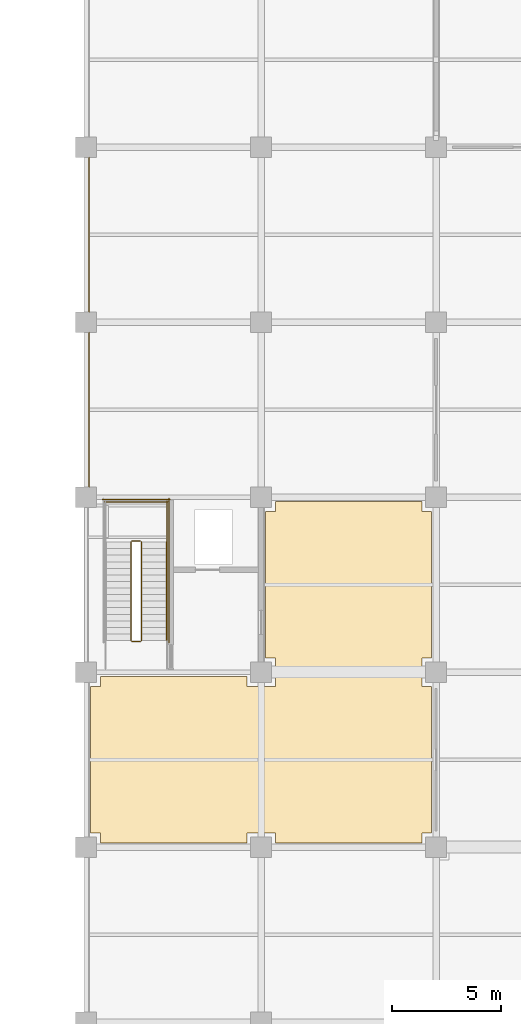
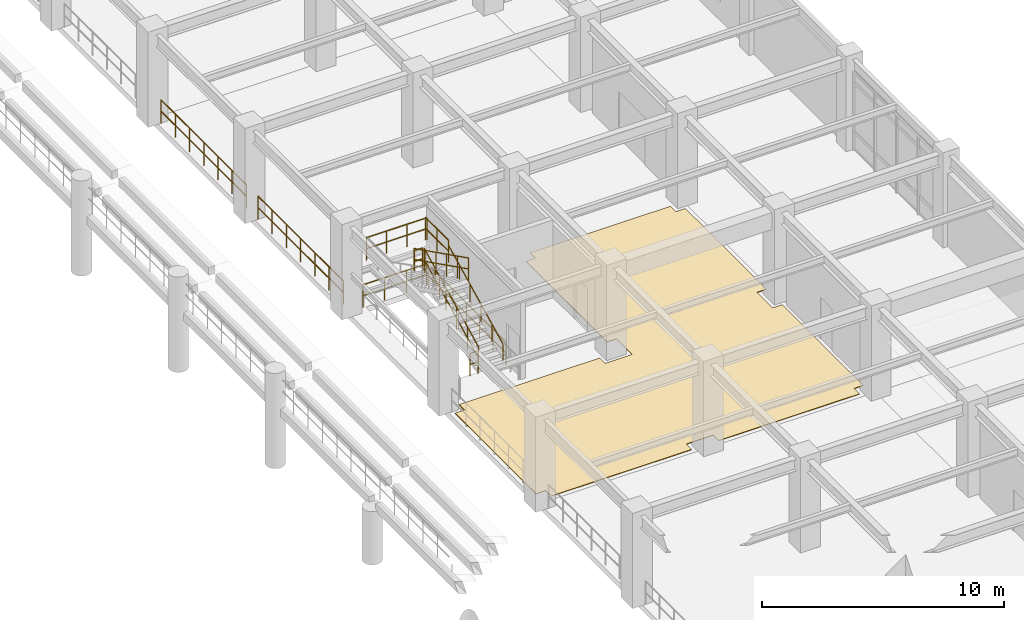
# One storey, part 104 of 109: 11 railings, 1 covering.
"""IFC4 building model written with IfcOpenShell, lengths in metres."""

from ifc_helpers import new_model, si_unit, direction, frame, origin, origin_2d, place, context, subcontext, project, spatial, polyline, circle, outline, extrude, material, layer, layer_set, type_object, element, save


model = new_model("IFC4")

# Units and contexts
model_context = context("Model", 3, precision=1e-05, world=origin(), true_north=direction((0.0, 1.0)))
body_context = subcontext(model_context, "Body", "Model", "MODEL_VIEW")
ifc_project = project(units=[si_unit("LENGTHUNIT", "METRE"), si_unit("AREAUNIT", "SQUARE_METRE"), si_unit("VOLUMEUNIT", "CUBIC_METRE"), si_unit("PLANEANGLEUNIT", "RADIAN"), si_unit("MASSUNIT", "GRAM", prefix="KILO")], contexts=[model_context])

# Site, building, storey
site_placement = place(None, origin())
site = spatial("IfcSite", under=ifc_project, at=site_placement, CompositionType="ELEMENT")
building_placement = place(site_placement, origin())
building = spatial("IfcBuilding", under=site, at=building_placement, Name="Haebicheon Civic Stadium", CompositionType="ELEMENT")
storey_placement = place(building_placement, frame((0.0, 0.0, 9.60009765625)))
storey = spatial("IfcBuildingStorey", under=building, at=storey_placement, Name="L03", CompositionType="ELEMENT", Elevation=9.60009765625)

# Covering
ifc_material_1 = material(Name="Quartz epoxy resin mortar", Category="concrete")
ifc_layer = layer(ifc_material_1, 0.030029296875, Name="Quartz epoxy resin mortar")
ifc_layer_set = layer_set([ifc_layer], Name="Quartz epoxy resin mortar")
covering_type = type_object("IfcCoveringType", Name="COV-FLR-EPX", PredefinedType="FLOORING", material=ifc_layer_set)
covering_placement = place(storey_placement, origin())
element("IfcCovering", 1, at=covering_placement, inside=storey, type_object=covering_type, material=ifc_layer_set, Name="L03 East Bowl Club Concourse non-slip floor finish", PredefinedType="FLOORING", context=body_context, shape_type="SweptSolid", body=[
    extrude(outline(polyline([(144.199951171875, 103.35009765625), (144.64990234375, 103.35009765625), (144.64990234375, 103.800048828125), (151.35009765625, 103.800048828125), (151.35009765625, 103.35009765625), (152.64990234375, 103.35009765625), (152.64990234375, 104.64990234375), (152.199951171875, 104.64990234375), (152.199951171875, 111.35009765625), (152.64990234375, 111.35009765625), (152.64990234375, 111.800048828125), (159.35009765625, 111.800048828125), (159.35009765625, 111.35009765625), (159.800048828125, 111.35009765625), (159.800048828125, 104.64990234375), (159.35009765625, 104.64990234375), (159.35009765625, 103.35009765625), (159.800048828125, 103.35009765625), (159.800048828125, 96.64990234375), (159.35009765625, 96.64990234375), (159.35009765625, 96.199951171875), (152.64990234375, 96.199951171875), (152.64990234375, 96.64990234375), (151.35009765625, 96.64990234375), (151.35009765625, 96.199951171875), (144.64990234375, 96.199951171875), (144.64990234375, 96.64990234375), (144.199951171875, 96.64990234375), (144.199951171875, 103.35009765625)])), origin(), (0.0, 0.0, 1.0), 0.02978515625),
])

# Railings
ifc_material_2 = material(Name="Stainless steel 316 and laminated glass", Category="steel")
railing_type_1 = type_object("IfcRailingType", Name="RL-BAL-1200", PredefinedType="BALUSTRADE", material=ifc_material_2)
for number, where, name in (
    (2, (144.139892578125, 112.47509765625, 0.0), "L03 concourse bowl-edge balustrade 078"),
    (3, (144.139892578125, 120.47509765625, 0.0), "L03 concourse bowl-edge balustrade 079"),
):
    element("IfcRailing", number, at=place(storey_placement, frame(where)), inside=storey, type_object=railing_type_1, material=ifc_material_2, Name=name, PredefinedType="BALUSTRADE", context=body_context, shape_type="SweptSolid", body=[
        extrude(circle(Radius=0.02392578125, at=origin_2d()), frame((0.0, 0.0, 1.17578125), z_axis=(0.0, 1.0, 0.0), x_axis=(-1.0, 0.0, 0.0)), (0.0, 0.0, 1.0), 7.0498046875),
        extrude(circle(Radius=0.02392578125, at=origin_2d()), frame((0.0, 0.0, 0.60009765625), z_axis=(0.0, 1.0, 0.0), x_axis=(-1.0, 0.0, 0.0)), (0.0, 0.0, 1.0), 7.0498046875),
        extrude(circle(Radius=0.02099609375, at=origin_2d()), origin(), (0.0, 0.0, 1.0), 1.15185546875),
        extrude(circle(Radius=0.02099609375, at=origin_2d()), frame((0.0, 1.175048828125, 0.0)), (0.0, 0.0, 1.0), 1.15185546875),
        extrude(circle(Radius=0.02099609375, at=origin_2d()), frame((0.0, 2.349853515625, 0.0)), (0.0, 0.0, 1.0), 1.15185546875),
        extrude(circle(Radius=0.02099609375, at=origin_2d()), frame((0.0, 3.52490234375, 0.0)), (0.0, 0.0, 1.0), 1.15185546875),
        extrude(circle(Radius=0.02099609375, at=origin_2d()), frame((0.0, 4.699951171875, 0.0)), (0.0, 0.0, 1.0), 1.15185546875),
        extrude(circle(Radius=0.02099609375, at=origin_2d()), frame((0.0, 5.874755859375, 0.0)), (0.0, 0.0, 1.0), 1.15185546875),
        extrude(circle(Radius=0.02099609375, at=origin_2d()), frame((0.0, 7.0498046875, 0.0)), (0.0, 0.0, 1.0), 1.15185546875),
    ])
ifc_material_3 = material(Name="Galvanised painted steel SM355", Category="steel")
railing_type_2 = type_object("IfcRailingType", Name="RL-GRD-1150", PredefinedType="GUARDRAIL", material=ifc_material_3)
railing_1_placement = place(storey_placement, frame((146.530029296875, 105.449951171875, 0.14990234375)))
element("IfcRailing", 4, at=railing_1_placement, inside=storey, type_object=railing_type_2, material=ifc_material_3, Name="L03 ST-11 stair guard 1", PredefinedType="GUARDRAIL", context=body_context, shape_type="SweptSolid", body=[
    extrude(circle(Radius=0.02392578125, at=origin_2d()), frame((0.0, 0.0, 1.1259765625), z_axis=(0.0, 0.894427191, 0.4472135955), x_axis=(-1.0, 0.0, 0.0)), (0.0, 0.0, 1.0), 5.03125),
    extrude(circle(Radius=0.02392578125, at=origin_2d()), frame((0.0, 0.0, 0.574951171875), z_axis=(0.0, 0.894427191, 0.4472135955), x_axis=(-1.0, 0.0, 0.0)), (0.0, 0.0, 1.0), 5.03125),
    extrude(circle(Radius=0.02099609375, at=origin_2d()), origin(), (0.0, 0.0, 1.0), 1.101806640625),
    extrude(circle(Radius=0.02099609375, at=origin_2d()), frame((0.0, 0.89990234375, 0.449951171875)), (0.0, 0.0, 1.0), 1.101806640625),
    extrude(circle(Radius=0.02099609375, at=origin_2d()), frame((0.0, 1.800048828125, 0.89990234375)), (0.0, 0.0, 1.0), 1.101806640625),
    extrude(circle(Radius=0.02099609375, at=origin_2d()), frame((0.0, 2.699951171875, 1.35009765625)), (0.0, 0.0, 1.0), 1.101806640625),
    extrude(circle(Radius=0.02099609375, at=origin_2d()), frame((0.0, 3.60009765625, 1.800048828125)), (0.0, 0.0, 1.0), 1.101806640625),
    extrude(circle(Radius=0.02099609375, at=origin_2d()), frame((0.0, 4.5, 2.25)), (0.0, 0.0, 1.0), 1.101806640625),
])
railing_2_placement = place(storey_placement, frame((146.47998046875, 110.0, 2.39990234375)))
element("IfcRailing", 5, at=railing_2_placement, inside=storey, type_object=railing_type_2, material=ifc_material_3, Name="L03 ST-11 stair guard 2", PredefinedType="GUARDRAIL", context=body_context, shape_type="SweptSolid", body=[
    extrude(circle(Radius=0.02392578125, at=origin_2d()), frame((0.0, 0.0, 1.1259765625), z_axis=(-1.0, 0.0, 0.0), x_axis=(0.0, -1.0, 0.0)), (0.0, 0.0, 1.0), 0.3798828125),
    extrude(circle(Radius=0.02392578125, at=origin_2d()), frame((0.0, 0.0, 0.574951171875), z_axis=(-1.0, 0.0, 0.0), x_axis=(0.0, -1.0, 0.0)), (0.0, 0.0, 1.0), 0.3798828125),
    extrude(circle(Radius=0.02099609375, at=origin_2d()), origin(), (0.0, 0.0, 1.0), 1.101806640625),
    extrude(circle(Radius=0.02099609375, at=origin_2d()), frame((-0.3798828125, 0.0, 0.0)), (0.0, 0.0, 1.0), 1.101806640625),
])
railing_3_placement = place(storey_placement, frame((147.68994140625, 109.949951171875, 2.39990234375)))
element("IfcRailing", 6, at=railing_3_placement, inside=storey, type_object=railing_type_2, material=ifc_material_3, Name="L03 ST-11 stair guard 3", PredefinedType="GUARDRAIL", context=body_context, shape_type="SweptSolid", body=[
    extrude(circle(Radius=0.02392578125, at=origin_2d()), frame((0.0, 0.0, 1.1259765625), z_axis=(0.0, 1.0, 0.0), x_axis=(-1.0, 0.0, 0.0)), (0.0, 0.0, 1.0), 1.89013671875),
    extrude(circle(Radius=0.02392578125, at=origin_2d()), frame((0.0, 0.0, 0.574951171875), z_axis=(0.0, 1.0, 0.0), x_axis=(-1.0, 0.0, 0.0)), (0.0, 0.0, 1.0), 1.89013671875),
    extrude(circle(Radius=0.02099609375, at=origin_2d()), origin(), (0.0, 0.0, 1.0), 1.101806640625),
    extrude(circle(Radius=0.02099609375, at=origin_2d()), frame((0.0, 0.945068359375, 0.0)), (0.0, 0.0, 1.0), 1.101806640625),
    extrude(circle(Radius=0.02099609375, at=origin_2d()), frame((0.0, 1.89013671875, 0.0)), (0.0, 0.0, 1.0), 1.101806640625),
])
railing_4_placement = place(storey_placement, frame((147.739990234375, 111.7900390625, 2.39990234375)))
element("IfcRailing", 7, at=railing_4_placement, inside=storey, type_object=railing_type_2, material=ifc_material_3, Name="L03 ST-11 stair guard 5", PredefinedType="GUARDRAIL", context=body_context, shape_type="SweptSolid", body=[
    extrude(circle(Radius=0.02392578125, at=origin_2d()), frame((0.0, 0.0, 1.1259765625), z_axis=(-1.0, 0.0, 0.0), x_axis=(0.0, -1.0, 0.0)), (0.0, 0.0, 1.0), 2.89990234375),
    extrude(circle(Radius=0.02392578125, at=origin_2d()), frame((0.0, 0.0, 0.574951171875), z_axis=(-1.0, 0.0, 0.0), x_axis=(0.0, -1.0, 0.0)), (0.0, 0.0, 1.0), 2.89990234375),
    extrude(circle(Radius=0.02099609375, at=origin_2d()), origin(), (0.0, 0.0, 1.0), 1.101806640625),
    extrude(circle(Radius=0.02099609375, at=origin_2d()), frame((-0.966552734375, 0.0, 0.0)), (0.0, 0.0, 1.0), 1.101806640625),
    extrude(circle(Radius=0.02099609375, at=origin_2d()), frame((-1.933349609375, 0.0, 0.0)), (0.0, 0.0, 1.0), 1.101806640625),
    extrude(circle(Radius=0.02099609375, at=origin_2d()), frame((-2.89990234375, 0.0, 0.0)), (0.0, 0.0, 1.0), 1.101806640625),
])
railing_5_placement = place(storey_placement, frame((146.050048828125, 109.949951171875, 2.5498046875)))
element("IfcRailing", 8, at=railing_5_placement, inside=storey, type_object=railing_type_2, material=ifc_material_3, Name="L03 ST-11 stair guard 6", PredefinedType="GUARDRAIL", context=body_context, shape_type="SweptSolid", body=[
    extrude(circle(Radius=0.02392578125, at=origin_2d()), frame((0.0, 0.0, 1.1259765625), z_axis=(0.0, -0.894427191, 0.4472135955), x_axis=(1.0, 0.0, 0.0)), (0.0, 0.0, 1.0), 5.03125),
    extrude(circle(Radius=0.02392578125, at=origin_2d()), frame((0.0, 0.0, 0.574951171875), z_axis=(0.0, -0.894427191, 0.4472135955), x_axis=(1.0, 0.0, 0.0)), (0.0, 0.0, 1.0), 5.03125),
    extrude(circle(Radius=0.02099609375, at=origin_2d()), origin(), (0.0, 0.0, 1.0), 1.101806640625),
    extrude(circle(Radius=0.02099609375, at=origin_2d()), frame((0.0, -0.89990234375, 0.449951171875)), (0.0, 0.0, 1.0), 1.101806640625),
    extrude(circle(Radius=0.02099609375, at=origin_2d()), frame((0.0, -1.800048828125, 0.89990234375)), (0.0, 0.0, 1.0), 1.101806640625),
    extrude(circle(Radius=0.02099609375, at=origin_2d()), frame((0.0, -2.699951171875, 1.35009765625)), (0.0, 0.0, 1.0), 1.101806640625),
    extrude(circle(Radius=0.02099609375, at=origin_2d()), frame((0.0, -3.60009765625, 1.800048828125)), (0.0, 0.0, 1.0), 1.101806640625),
    extrude(circle(Radius=0.02099609375, at=origin_2d()), frame((0.0, -4.5, 2.25)), (0.0, 0.0, 1.0), 1.101806640625),
])
railing_6_placement = place(storey_placement, frame((146.47998046875, 105.39990234375, 0.0)))
element("IfcRailing", 9, at=railing_6_placement, inside=storey, type_object=railing_type_2, material=ifc_material_3, Name="L03 ST-11 stair guard 7", PredefinedType="GUARDRAIL", context=body_context, shape_type="SweptSolid", body=[
    extrude(circle(Radius=0.02392578125, at=origin_2d()), frame((0.0, 0.0, 1.1259765625), z_axis=(-1.0, 0.0, 0.0), x_axis=(0.0, -1.0, 0.0)), (0.0, 0.0, 1.0), 0.3798828125),
    extrude(circle(Radius=0.02392578125, at=origin_2d()), frame((0.0, 0.0, 0.574951171875), z_axis=(-1.0, 0.0, 0.0), x_axis=(0.0, -1.0, 0.0)), (0.0, 0.0, 1.0), 0.3798828125),
    extrude(circle(Radius=0.02099609375, at=origin_2d()), origin(), (0.0, 0.0, 1.0), 1.101806640625),
    extrude(circle(Radius=0.02099609375, at=origin_2d()), frame((-0.3798828125, 0.0, 0.0)), (0.0, 0.0, 1.0), 1.101806640625),
])
railing_7_placement = place(storey_placement, frame((147.7900390625, 105.35009765625, 0.0)))
element("IfcRailing", 10, at=railing_7_placement, inside=storey, type_object=railing_type_2, material=ifc_material_3, Name="L03 ST-11 stair guard 10", PredefinedType="GUARDRAIL", context=body_context, shape_type="SweptSolid", body=[
    extrude(circle(Radius=0.02392578125, at=origin_2d()), frame((0.0, 0.0, 1.1259765625), z_axis=(0.0, 1.0, 0.0), x_axis=(-1.0, 0.0, 0.0)), (0.0, 0.0, 1.0), 6.58984375),
    extrude(circle(Radius=0.02392578125, at=origin_2d()), frame((0.0, 0.0, 0.574951171875), z_axis=(0.0, 1.0, 0.0), x_axis=(-1.0, 0.0, 0.0)), (0.0, 0.0, 1.0), 6.58984375),
    extrude(circle(Radius=0.02099609375, at=origin_2d()), origin(), (0.0, 0.0, 1.0), 1.101806640625),
    extrude(circle(Radius=0.02099609375, at=origin_2d()), frame((0.0, 1.098388671875, 0.0)), (0.0, 0.0, 1.0), 1.101806640625),
    extrude(circle(Radius=0.02099609375, at=origin_2d()), frame((0.0, 2.196533203125, 0.0)), (0.0, 0.0, 1.0), 1.101806640625),
    extrude(circle(Radius=0.02099609375, at=origin_2d()), frame((0.0, 3.294921875, 0.0)), (0.0, 0.0, 1.0), 1.101806640625),
    extrude(circle(Radius=0.02099609375, at=origin_2d()), frame((0.0, 4.393310546875, 0.0)), (0.0, 0.0, 1.0), 1.101806640625),
    extrude(circle(Radius=0.02099609375, at=origin_2d()), frame((0.0, 5.491455078125, 0.0)), (0.0, 0.0, 1.0), 1.101806640625),
    extrude(circle(Radius=0.02099609375, at=origin_2d()), frame((0.0, 6.58984375, 0.0)), (0.0, 0.0, 1.0), 1.101806640625),
])
railing_8_placement = place(storey_placement, frame((147.840087890625, 111.889892578125, 0.0)))
element("IfcRailing", 11, at=railing_8_placement, inside=storey, type_object=railing_type_2, material=ifc_material_3, Name="L03 ST-11 stair guard 12", PredefinedType="GUARDRAIL", context=body_context, shape_type="SweptSolid", body=[
    extrude(circle(Radius=0.02392578125, at=origin_2d()), frame((0.0, 0.0, 1.1259765625), z_axis=(-1.0, 0.0, 0.0), x_axis=(0.0, -1.0, 0.0)), (0.0, 0.0, 1.0), 3.10009765625),
    extrude(circle(Radius=0.02392578125, at=origin_2d()), frame((0.0, 0.0, 0.574951171875), z_axis=(-1.0, 0.0, 0.0), x_axis=(0.0, -1.0, 0.0)), (0.0, 0.0, 1.0), 3.10009765625),
    extrude(circle(Radius=0.02099609375, at=origin_2d()), origin(), (0.0, 0.0, 1.0), 1.101806640625),
    extrude(circle(Radius=0.02099609375, at=origin_2d()), frame((-1.033447265625, 0.0, 0.0)), (0.0, 0.0, 1.0), 1.101806640625),
    extrude(circle(Radius=0.02099609375, at=origin_2d()), frame((-2.066650390625, 0.0, 0.0)), (0.0, 0.0, 1.0), 1.101806640625),
    extrude(circle(Radius=0.02099609375, at=origin_2d()), frame((-3.10009765625, 0.0, 0.0)), (0.0, 0.0, 1.0), 1.101806640625),
])
ifc_material_4 = material(Name="Stainless steel 316", Category="steel")
railing_type_3 = type_object("IfcRailingType", Name="RL-HND-900", PredefinedType="HANDRAIL", material=ifc_material_4)
railing_9_placement = place(storey_placement, frame((147.68994140625, 105.449951171875, 0.14990234375)))
element("IfcRailing", 12, at=railing_9_placement, inside=storey, type_object=railing_type_3, material=ifc_material_4, Name="L03 ST-11 stair handrail 1", PredefinedType="HANDRAIL", context=body_context, shape_type="SweptSolid", body=[
    extrude(circle(Radius=0.02392578125, at=origin_2d()), frame((0.0, 0.0, 0.8759765625), z_axis=(0.0, 0.894427191, 0.4472135955), x_axis=(-1.0, 0.0, 0.0)), (0.0, 0.0, 1.0), 5.03125),
    extrude(circle(Radius=0.02099609375, at=origin_2d()), origin(), (0.0, 0.0, 1.0), 0.851806640625),
    extrude(circle(Radius=0.02099609375, at=origin_2d()), frame((0.0, 0.89990234375, 0.449951171875)), (0.0, 0.0, 1.0), 0.851806640625),
    extrude(circle(Radius=0.02099609375, at=origin_2d()), frame((0.0, 1.800048828125, 0.89990234375)), (0.0, 0.0, 1.0), 0.851806640625),
    extrude(circle(Radius=0.02099609375, at=origin_2d()), frame((0.0, 2.699951171875, 1.35009765625)), (0.0, 0.0, 1.0), 0.851806640625),
    extrude(circle(Radius=0.02099609375, at=origin_2d()), frame((0.0, 3.60009765625, 1.800048828125)), (0.0, 0.0, 1.0), 0.851806640625),
    extrude(circle(Radius=0.02099609375, at=origin_2d()), frame((0.0, 4.5, 2.25)), (0.0, 0.0, 1.0), 0.851806640625),
])

save(model, "model.ifc")
